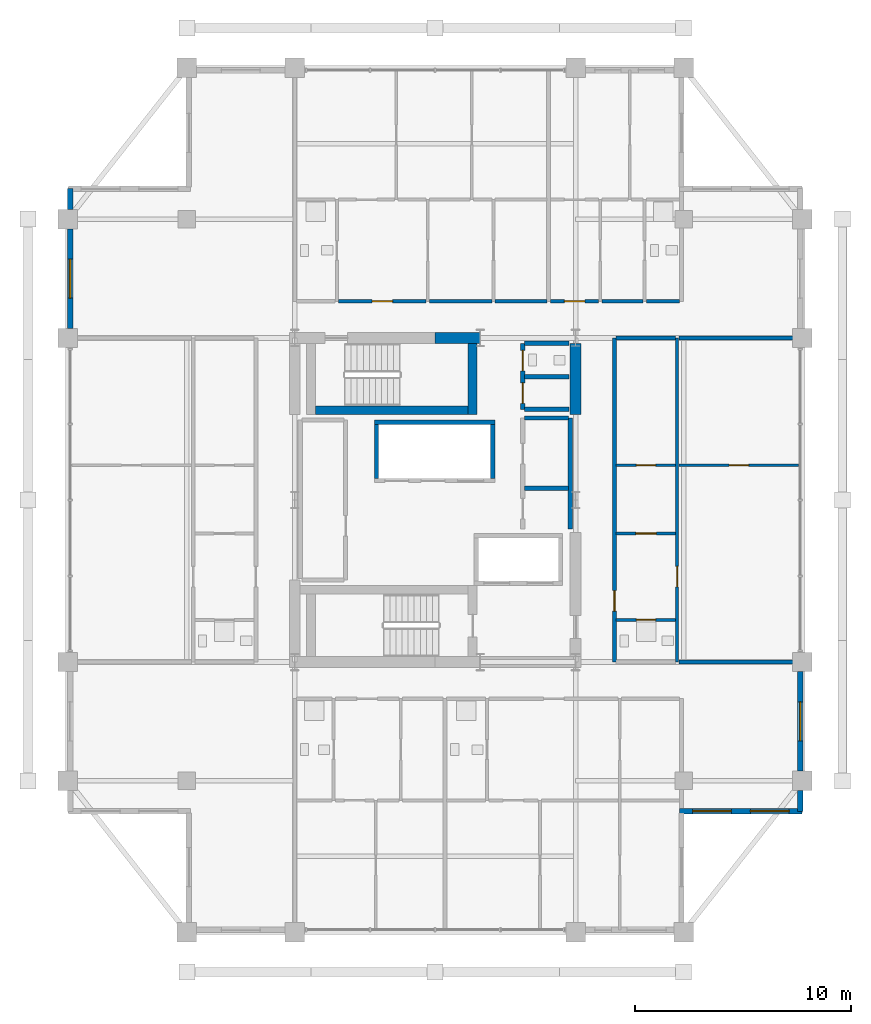
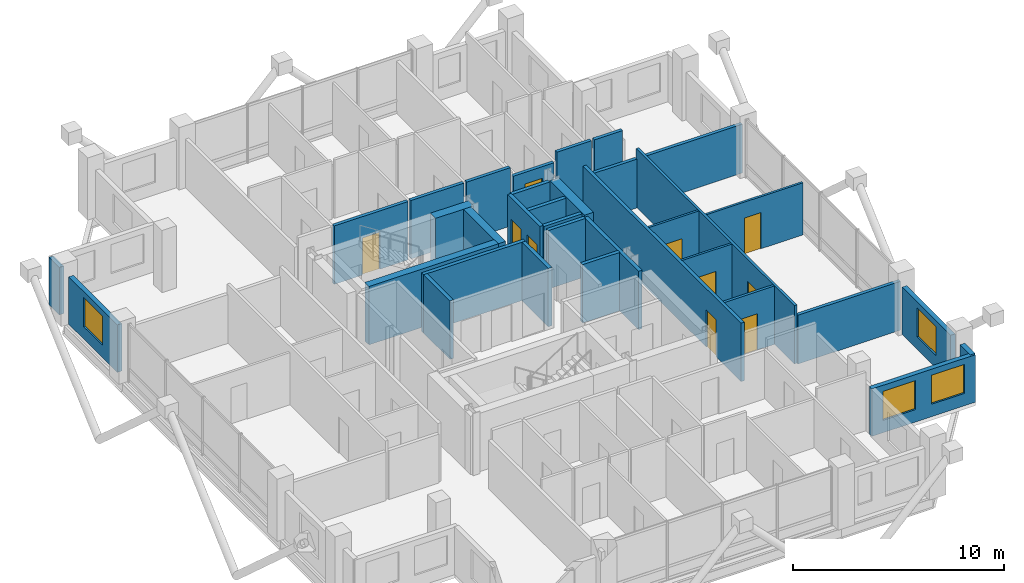
# One storey, part 20 of 24: 34 walls, 10 doors, 4 windows, 14 openings.
"""IFC4 building model written with IfcOpenShell, lengths in metres."""

import ifcopenshell
import ifcopenshell.guid

model = None  # the IFC model being written
_history = None  # IfcOwnerHistory: only IFC2X3 demands one
_inside = {}  # id of a spatial element -> (the spatial element, [elements in it])
_under = {}  # id of a project, library or spatial element -> (it, [spatial elements below it])
_declared = {}  # id of a project -> (the project, [libraries it declares])
_typed = {}  # id of a type object -> (the type object, [elements of that type])
_made_of = {}  # id of a material, layer set ... -> (it, [elements and type objects made of it])


def new_model(schema):
    """Start an empty IFC model of exactly this schema.

    Asked for "IFC4X3", IfcOpenShell would pick the latest addendum, in which some entities
    have other attributes; the version numbers below select the first issue.
    IFC2X3 requires an IfcOwnerHistory on every rooted entity: one is made here for all.
    """
    global model, _history
    if schema == "IFC4X3":
        model = ifcopenshell.file(schema_version=(4, 3, 0, 0))
    else:
        model = ifcopenshell.file(schema=schema)
    _inside.clear()
    _under.clear()
    _declared.clear()
    _typed.clear()
    _made_of.clear()
    _history = None
    if model.schema == "IFC2X3":
        org = make("IfcOrganization", Name="unknown")
        user = make(
            "IfcPersonAndOrganization",
            ThePerson=make("IfcPerson", FamilyName="unknown"),
            TheOrganization=org,
        )
        app = make(
            "IfcApplication",
            ApplicationDeveloper=org,
            Version="unknown",
            ApplicationFullName="unknown",
            ApplicationIdentifier="unknown",
        )
        _history = make(
            "IfcOwnerHistory",
            OwningUser=user,
            OwningApplication=app,
            ChangeAction="ADDED",
            CreationDate=0,
        )
    return model


def make(cls, **values):
    """One entity of the class cls with the attributes given. An attribute that is None is left unset."""
    return model.create_entity(
        cls, **{name: value for name, value in values.items() if value is not None}
    )


def rooted(cls, **values):
    """An entity with a GlobalId (a new one), such as an element, a storey or a relation."""
    return make(cls, GlobalId=ifcopenshell.guid.new(), OwnerHistory=_history, **values)


def si_unit(unit_type, name, prefix=None):
    """IfcSIUnit, for example si_unit("LENGTHUNIT", "METRE", prefix="MILLI")."""
    return make("IfcSIUnit", UnitType=unit_type, Prefix=prefix, Name=name)


def assignment(units):
    """IfcUnitAssignment: the units of a project."""
    return None if units is None else make("IfcUnitAssignment", Units=units)


def point(xyz):
    """IfcCartesianPoint."""
    return None if xyz is None else make("IfcCartesianPoint", Coordinates=xyz)


def direction(xyz):
    """IfcDirection."""
    return None if xyz is None else make("IfcDirection", DirectionRatios=xyz)


def frame(location, z_axis=None, x_axis=None):
    """IfcAxis2Placement3D, a coordinate frame: its origin and axes. An axis left out is left unset."""
    return make(
        "IfcAxis2Placement3D",
        Location=point(location),
        Axis=direction(z_axis),
        RefDirection=direction(x_axis),
    )


def frame_2d(location, x_axis=None):
    """IfcAxis2Placement2D, a coordinate frame in the plane: its origin and x axis."""
    return make(
        "IfcAxis2Placement2D", Location=point(location), RefDirection=direction(x_axis)
    )


def origin():
    """The frame at (0, 0, 0) with its axes left unset."""
    return frame((0.0, 0.0, 0.0))


def place(relative_to, where):
    """IfcLocalPlacement: puts the frame where relative to a parent placement (None: the world)."""
    return make(
        "IfcLocalPlacement", PlacementRelTo=relative_to, RelativePlacement=where
    )


def context(
    kind, dimensions, precision=None, world=None, true_north=None, identifier=None
):
    """IfcGeometricRepresentationContext, for example the 3D "Model" context."""
    return make(
        "IfcGeometricRepresentationContext",
        ContextIdentifier=identifier,
        ContextType=kind,
        CoordinateSpaceDimension=dimensions,
        Precision=precision,
        WorldCoordinateSystem=world,
        TrueNorth=true_north,
    )


def subcontext(parent, identifier, kind, view, scale=None):
    """IfcGeometricRepresentationSubContext, for example "Body" below "Model"."""
    return make(
        "IfcGeometricRepresentationSubContext",
        ContextIdentifier=identifier,
        ContextType=kind,
        ParentContext=parent,
        TargetScale=scale,
        TargetView=view,
    )


def project(units=None, contexts=None):
    """IfcProject with its units and contexts."""
    return rooted(
        "IfcProject",
        Name="project",
        RepresentationContexts=contexts,
        UnitsInContext=assignment(units),
    )


def spatial(cls, under=None, at=None, **own):
    """A site, building, storey or space (cls), placed at a placement, below another one or the project."""
    s = rooted(cls, ObjectPlacement=at, **own)
    if under is not None:
        _under.setdefault(under.id(), (under, []))[1].append(s)
    return s


def profile(cls, at=None, kind="AREA", **sizes):
    """A parametric profile (cls). Its sizes go by their IFC names, for example OverallWidth=200.0."""
    return make(cls, ProfileType=kind, Position=at, **sizes)


def rectangle(**sizes):
    """IfcRectangleProfileDef."""
    return profile("IfcRectangleProfileDef", **sizes)


def extrude(swept, where, along, depth):
    """IfcExtrudedAreaSolid: the profile swept, set in the frame where, extruded along a direction by depth."""
    return make(
        "IfcExtrudedAreaSolid",
        SweptArea=swept,
        Position=where,
        ExtrudedDirection=direction(along),
        Depth=depth,
    )


def shape(context_of_items, identifier, shape_type, items):
    """IfcShapeRepresentation: the items that make up one representation, for example the "Body"."""
    return make(
        "IfcShapeRepresentation",
        ContextOfItems=context_of_items,
        RepresentationIdentifier=identifier,
        RepresentationType=shape_type,
        Items=items,
    )


def material(Name=None, Category=None):
    """IfcMaterial."""
    return make("IfcMaterial", Name=Name, Category=Category)


def layer(
    of_material, thickness, ventilated=None, Name=None, Category=None, Priority=None
):
    """IfcMaterialLayer: one layer of a wall or slab, of a material (None: an air gap)."""
    return make(
        "IfcMaterialLayer",
        Material=of_material,
        LayerThickness=thickness,
        IsVentilated=ventilated,
        Name=Name,
        Category=Category,
        Priority=Priority,
    )


def layer_set(layers, Name=None):
    """IfcMaterialLayerSet."""
    return make("IfcMaterialLayerSet", MaterialLayers=layers, LayerSetName=Name)


def made_of(thing, what):
    """Note that an element or type object is made of a material, layer set ...; save() writes the relation."""
    if what is not None:
        _made_of.setdefault(what.id(), (what, []))[1].append(thing)
    return thing


def type_object(cls, material=None, **own):
    """A type object (cls), such as IfcWallType, which elements share."""
    return made_of(rooted(cls, **own), material)


def element(
    cls,
    number,
    at=None,
    inside=None,
    cuts=None,
    type_object=None,
    material=None,
    context=None,
    identifier="Body",
    shape_type=None,
    held_by="IfcProductDefinitionShape",
    body=None,
    shapes=None,
    **own,
):
    """One element of the class cls, such as IfcWall. Its Tag is "e" and its number.

    at: its placement. inside: the storey or other place that contains it. cuts: it is an
    opening in that element (IfcRelVoidsElement). A single representation is given by context,
    identifier, shape_type and body (its items); several are given by shapes. held_by: the class
    of the entity that holds the representations. save() writes the other relations.
    """
    e = rooted(cls, Tag="e%d" % number, ObjectPlacement=at, **own)
    if body is not None:
        shapes = [shape(context, identifier, shape_type, body)]
    if shapes is not None:
        e.Representation = make(held_by, Representations=shapes)
    if inside is not None:
        _inside.setdefault(inside.id(), (inside, []))[1].append(e)
    if cuts is not None:
        rooted(
            "IfcRelVoidsElement", RelatingBuildingElement=cuts, RelatedOpeningElement=e
        )
    if type_object is not None:
        _typed.setdefault(type_object.id(), (type_object, []))[1].append(e)
    return made_of(e, material)


def fill(opening, filler):
    """IfcRelFillsElement: the door or window that sits in an opening."""
    return rooted(
        "IfcRelFillsElement",
        RelatingOpeningElement=opening,
        RelatedBuildingElement=filler,
    )


def aggregate(whole, parts):
    """IfcRelAggregates: a whole, such as a stair, and the parts it consists of."""
    return rooted("IfcRelAggregates", RelatingObject=whole, RelatedObjects=parts)


def save(model, path):
    """Write the relations noted so far, then the file.

    IfcRelAggregates (storeys below a building ...), IfcRelContainedInSpatialStructure (elements
    in a storey), IfcRelDefinesByType, IfcRelAssociatesMaterial and IfcRelDeclares: one each for
    every whole, place, type object, material and project.
    """
    for whole, parts in _under.values():
        aggregate(whole, parts)
    for where, things in _inside.values():
        rooted(
            "IfcRelContainedInSpatialStructure",
            RelatedElements=things,
            RelatingStructure=where,
        )
    for kind, things in _typed.values():
        rooted("IfcRelDefinesByType", RelatedObjects=things, RelatingType=kind)
    for what, things in _made_of.values():
        rooted("IfcRelAssociatesMaterial", RelatedObjects=things, RelatingMaterial=what)
    for by, libraries in _declared.values():
        rooted("IfcRelDeclares", RelatingContext=by, RelatedDefinitions=libraries)
    model.write(path)


model = new_model("IFC4")

# Units and contexts
model_context = context("Model", 3, precision=1e-05, world=origin(), true_north=direction((0.0, 1.0)))
body_context = subcontext(model_context, "Body", "Model", "MODEL_VIEW")
ifc_project = project(units=[si_unit("LENGTHUNIT", "METRE"), si_unit("AREAUNIT", "SQUARE_METRE"), si_unit("VOLUMEUNIT", "CUBIC_METRE"), si_unit("PLANEANGLEUNIT", "RADIAN"), si_unit("MASSUNIT", "GRAM", prefix="KILO")], contexts=[model_context])

# Site, building, storey
site_placement = place(None, origin())
site = spatial("IfcSite", under=ifc_project, at=site_placement, CompositionType="ELEMENT")
building_placement = place(site_placement, origin())
building = spatial("IfcBuilding", under=site, at=building_placement, Name="Barlavira Tower and Art Museum", CompositionType="ELEMENT")
storey_placement = place(building_placement, frame((0.0, 0.0, 225.89990234375)))
storey = spatial("IfcBuildingStorey", under=building, at=storey_placement, Name="L58", CompositionType="ELEMENT", Elevation=225.89990234375)

# Wall, opening, door
ifc_material_1 = material(Name="Gypsum acoustic stud partition", Category="gypsum")
ifc_layer_1 = layer(ifc_material_1, 0.1201171875, Name="Gypsum acoustic stud partition")
ifc_layer_set_1 = layer_set([ifc_layer_1], Name="Gypsum acoustic stud partition")
wall_type_1 = type_object("IfcWallType", Name="Apartment Internal Acoustic Partition 120", PredefinedType="PARTITIONING", material=ifc_layer_set_1)
wall_1_placement = place(storey_placement, frame((8.3798828125, -1.550048828125, 0.0), z_axis=(0.0, 0.0, 1.0), x_axis=(1.0, 0.0, 0.0)))
wall_1 = element("IfcWall", 1, at=wall_1_placement, inside=storey, type_object=wall_type_1, Name="L58 Partition Wall 52", PredefinedType="PARTITIONING", context=body_context, shape_type="SweptSolid", body=[
    extrude(rectangle(XDim=2.740234375, YDim=0.1201171875, at=frame_2d((1.3701171875, 0.0))), origin(), (0.0, 0.0, 1.0), 3.380126953125),
])
opening_1_placement = place(wall_1_placement, frame((0.905029296875, 0.0, 0.0)))
opening_1 = element("IfcOpeningElement", 2, at=opening_1_placement, cuts=wall_1, Name="Opening D-02", PredefinedType="OPENING", context=body_context, shape_type="SweptSolid", body=[
    extrude(rectangle(XDim=0.949951171875, YDim=2.10009765625, at=frame_2d((0.47509765625, 1.050048828125))), frame((0.0, 0.070068359375, 0.0), z_axis=(0.0, -1.0, 0.0), x_axis=(1.0, 0.0, 0.0)), (0.0, 0.0, 1.0), 0.14013671875),
])
ifc_material_2 = material(Name="Engineered coastal hardwood", Category="wood")
door_type_1 = type_object("IfcDoorType", Name="Living and Salon Glazed-Leaf Door 950x2100", OperationType="NOTDEFINED", PredefinedType="DOOR", material=ifc_material_2)
door_1_placement = place(opening_1_placement, origin())
door_1 = element("IfcDoor", 3, at=door_1_placement, inside=storey, type_object=door_type_1, Name="Apartment E1 Kitchen Door", OperationType="SINGLE_SWING_LEFT", OverallHeight=2.10009765625, OverallWidth=0.949951171875, PredefinedType="DOOR", context=body_context, shape_type="SweptSolid", body=[
    extrude(rectangle(XDim=0.949951171875, YDim=2.10009765625, at=frame_2d((0.47509765625, 1.050048828125))), frame((0.0, 0.02490234375, 0.0), z_axis=(0.0, -1.0, 0.0), x_axis=(1.0, 0.0, 0.0)), (0.0, 0.0, 1.0), 0.050048828125),
])
fill(opening_1, door_1)

wall_2_placement = place(storey_placement, frame((8.3798828125, 1.60009765625, 0.0), z_axis=(0.0, 0.0, 1.0), x_axis=(1.0, 0.0, 0.0)))
wall_2 = element("IfcWall", 4, at=wall_2_placement, inside=storey, type_object=wall_type_1, Name="L58 Partition Wall 56", PredefinedType="PARTITIONING", context=body_context, shape_type="SweptSolid", body=[
    extrude(rectangle(XDim=2.740234375, YDim=0.1201171875, at=frame_2d((1.3701171875, 0.0))), origin(), (0.0, 0.0, 1.0), 3.380126953125),
])
opening_2_placement = place(wall_2_placement, frame((0.929931640625, 0.0, 0.0)))
opening_2 = element("IfcOpeningElement", 5, at=opening_2_placement, cuts=wall_2, Name="Opening D-01", PredefinedType="OPENING", context=body_context, shape_type="SweptSolid", body=[
    extrude(rectangle(XDim=0.89990234375, YDim=2.10009765625, at=frame_2d((0.449951171875, 1.050048828125))), frame((0.0, 0.070068359375, 0.0), z_axis=(0.0, -1.0, 0.0), x_axis=(1.0, 0.0, 0.0)), (0.0, 0.0, 1.0), 0.14013671875),
])
door_type_2 = type_object("IfcDoorType", Name="Internal Bedroom Timber Flush Door 900x2100", OperationType="NOTDEFINED", PredefinedType="DOOR", material=ifc_material_2)
door_2_placement = place(opening_2_placement, origin())
door_2 = element("IfcDoor", 6, at=door_2_placement, inside=storey, type_object=door_type_2, Name="Apartment E1 Walk-In Dressing Room Door", OperationType="SINGLE_SWING_RIGHT", OverallHeight=2.10009765625, OverallWidth=0.89990234375, PredefinedType="DOOR", context=body_context, shape_type="SweptSolid", body=[
    extrude(rectangle(XDim=0.89990234375, YDim=2.10009765625, at=frame_2d((0.449951171875, 1.050048828125))), frame((0.0, 0.02490234375, 0.0), z_axis=(0.0, -1.0, 0.0), x_axis=(1.0, 0.0, 0.0)), (0.0, 0.0, 1.0), 0.050048828125),
])
fill(opening_2, door_2)

wall_3_placement = place(storey_placement, frame((11.280029296875, 1.60009765625, 0.0), z_axis=(0.0, 0.0, 1.0), x_axis=(1.0, 0.0, 0.0)))
wall_3 = element("IfcWall", 7, at=wall_3_placement, inside=storey, type_object=wall_type_1, Name="L58 Partition Wall 57", PredefinedType="PARTITIONING", context=body_context, shape_type="SweptSolid", body=[
    extrude(rectangle(XDim=5.5400390625, YDim=0.1201171875, at=frame_2d((2.77001953125, 0.0))), origin(), (0.0, 0.0, 1.0), 3.01806640625),
])
opening_3_placement = place(wall_3_placement, frame((2.330078125, 0.0, 0.0)))
opening_3 = element("IfcOpeningElement", 8, at=opening_3_placement, cuts=wall_3, Name="Opening D-01", PredefinedType="OPENING", context=body_context, shape_type="SweptSolid", body=[
    extrude(rectangle(XDim=0.89990234375, YDim=2.10009765625, at=frame_2d((0.449951171875, 1.050048828125))), frame((0.0, 0.070068359375, 0.0), z_axis=(0.0, -1.0, 0.0), x_axis=(1.0, 0.0, 0.0)), (0.0, 0.0, 1.0), 0.14013671875),
])
door_3_placement = place(opening_3_placement, origin())
door_3 = element("IfcDoor", 9, at=door_3_placement, inside=storey, type_object=door_type_2, Name="Apartment E1 Bedroom 1 Door", OperationType="SINGLE_SWING_RIGHT", OverallHeight=2.10009765625, OverallWidth=0.89990234375, PredefinedType="DOOR", context=body_context, shape_type="SweptSolid", body=[
    extrude(rectangle(XDim=0.89990234375, YDim=2.10009765625, at=frame_2d((0.449951171875, 1.050048828125))), frame((0.0, 0.02490234375, 0.0), z_axis=(0.0, -1.0, 0.0), x_axis=(1.0, 0.0, 0.0)), (0.0, 0.0, 1.0), 0.050048828125),
])
fill(opening_3, door_3)

# Walls
ifc_material_3 = material(Name="Concrete C60", Category="concrete")
ifc_layer_2 = layer(ifc_material_3, 0.5, Name="Concrete C60")
ifc_layer_set_2 = layer_set([ifc_layer_2], Name="Concrete C60")
wall_type_2 = type_object("IfcWallType", Name="Core Structural Shear Wall 500 Concrete C60", PredefinedType="SHEAR", material=ifc_layer_set_2)
wall_4_placement = place(storey_placement, frame((0.0, 7.5, 0.0), z_axis=(0.0, 0.0, 1.0), x_axis=(1.0, 0.0, 0.0)))
element("IfcWall", 10, at=wall_4_placement, inside=storey, type_object=wall_type_2, Name="L58 Core Shear Wall CS-EN", PredefinedType="SHEAR", context=body_context, shape_type="SweptSolid", body=[
    extrude(rectangle(XDim=2.080078125, YDim=0.5, at=frame_2d((1.0400390625, 0.0))), origin(), (0.0, 0.0, 1.0), 3.380126953125),
])
wall_5_placement = place(storey_placement, frame((6.5, 3.949951171875, 0.0), z_axis=(0.0, 0.0, 1.0), x_axis=(0.0, 1.0, 0.0)))
element("IfcWall", 11, at=wall_5_placement, inside=storey, type_object=wall_type_2, Name="L58 Core Shear Wall CS-E2", PredefinedType="SHEAR", context=body_context, shape_type="SweptSolid", body=[
    extrude(rectangle(XDim=3.300048828125, YDim=0.5, at=frame_2d((1.64990234375, 0.0))), origin(), (0.0, 0.0, 1.0), 3.380126953125),
])
ifc_material_4 = material(Name="Autoclaved aerated concrete masonry", Category="masonry")
ifc_layer_3 = layer(ifc_material_4, 0.199951171875, Name="Autoclaved aerated concrete masonry")
ifc_layer_set_3 = layer_set([ifc_layer_3], Name="Autoclaved aerated concrete masonry")
wall_type_3 = type_object("IfcWallType", Name="Fire Compartment and Shaft Wall 200", PredefinedType="SOLIDWALL", material=ifc_layer_set_3)
wall_6_placement = place(storey_placement, frame((-2.820068359375, 3.60009765625, 0.0), z_axis=(0.0, 0.0, 1.0), x_axis=(1.0, 0.0, 0.0)))
element("IfcWall", 12, at=wall_6_placement, inside=storey, type_object=wall_type_3, Name="L58 High-Rise & Service Lift Back Wall", PredefinedType="SOLIDWALL", context=body_context, shape_type="SweptSolid", body=[
    extrude(rectangle(XDim=5.580078125, YDim=0.199951171875, at=frame_2d((2.7900390625, 0.0))), origin(), (0.0, 0.0, 1.0), 3.380126953125),
])
for number, where, z_axis, x_axis, name in (
    (13, (-2.719970703125, 1.0, 0.0), (0.0, 0.0, 1.0), (0.0, 1.0, 0.0), "L58 High-Rise & Service Lift West Wall"),
    (14, (2.659912109375, 1.0, 0.0), (0.0, 0.0, 1.0), (0.0, 1.0, 0.0), "L58 High-Rise & Service Lift East Wall"),
):
    element("IfcWall", number, at=place(storey_placement, frame(where, z_axis=z_axis, x_axis=x_axis)), inside=storey, type_object=wall_type_3, Name=name, PredefinedType="SOLIDWALL", context=body_context, shape_type="SweptSolid", body=[
        extrude(rectangle(XDim=2.5, YDim=0.199951171875, at=frame_2d((1.25, 0.0))), origin(), (0.0, 0.0, 1.0), 3.380126953125),
    ])

# Wall, openings, doors
wall_7_placement = place(storey_placement, frame((4.050048828125, 4.199951171875, 0.0), z_axis=(0.0, 0.0, 1.0), x_axis=(0.0, 1.0, 0.0)))
wall_7 = element("IfcWall", 15, at=wall_7_placement, inside=storey, type_object=wall_type_3, Name="L58 Partition Wall 18", PredefinedType="SOLIDWALL", context=body_context, shape_type="SweptSolid", body=[
    extrude(rectangle(XDim=3.050048828125, YDim=0.199951171875, at=frame_2d((1.52490234375, 0.0))), origin(), (0.0, 0.0, 1.0), 3.380126953125),
])
opening_4_placement = place(wall_7_placement, frame((0.27490234375, 0.0, 0.0)))
opening_4 = element("IfcOpeningElement", 16, at=opening_4_placement, cuts=wall_7, Name="Opening FD-60", PredefinedType="OPENING", context=body_context, shape_type="SweptSolid", body=[
    extrude(rectangle(XDim=0.949951171875, YDim=2.14990234375, at=frame_2d((0.47509765625, 1.074951171875))), frame((0.0, 0.10986328125, 0.0), z_axis=(0.0, -1.0, 0.0), x_axis=(1.0, 0.0, 0.0)), (0.0, 0.0, 1.0), 0.219970703125),
])
opening_5_placement = place(wall_7_placement, frame((1.77490234375, 0.0, 0.0)))
opening_5 = element("IfcOpeningElement", 17, at=opening_5_placement, cuts=wall_7, Name="Opening FD-60", PredefinedType="OPENING", context=body_context, shape_type="SweptSolid", body=[
    extrude(rectangle(XDim=0.949951171875, YDim=2.14990234375, at=frame_2d((0.47509765625, 1.074951171875))), frame((0.0, 0.10986328125, 0.0), z_axis=(0.0, -1.0, 0.0), x_axis=(1.0, 0.0, 0.0)), (0.0, 0.0, 1.0), 0.219970703125),
])
ifc_material_5 = material(Name="Brushed stainless steel", Category="steel")
door_type_3 = type_object("IfcDoorType", Name="Apartment Entrance and Riser Fire Door 950x2150 FD60S", OperationType="NOTDEFINED", PredefinedType="DOOR", material=ifc_material_5)
door_4_placement = place(opening_4_placement, origin())
door_4 = element("IfcDoor", 18, at=door_4_placement, inside=storey, type_object=door_type_3, Name="Electrical Switchgear Room Door", OperationType="SINGLE_SWING_RIGHT", OverallHeight=2.14990234375, OverallWidth=0.949951171875, PredefinedType="DOOR", context=body_context, shape_type="SweptSolid", body=[
    extrude(rectangle(XDim=0.949951171875, YDim=2.14990234375, at=frame_2d((0.47509765625, 1.074951171875))), frame((0.0, 0.02490234375, 0.0), z_axis=(0.0, -1.0, 0.0), x_axis=(1.0, 0.0, 0.0)), (0.0, 0.0, 1.0), 0.050048828125),
])
fill(opening_4, door_4)
door_5_placement = place(opening_5_placement, origin())
door_5 = element("IfcDoor", 19, at=door_5_placement, inside=storey, type_object=door_type_3, Name="Core Staff Toilet Door", OperationType="SINGLE_SWING_LEFT", OverallHeight=2.14990234375, OverallWidth=0.949951171875, PredefinedType="DOOR", context=body_context, shape_type="SweptSolid", body=[
    extrude(rectangle(XDim=0.949951171875, YDim=2.14990234375, at=frame_2d((0.47509765625, 1.074951171875))), frame((0.0, 0.02490234375, 0.0), z_axis=(0.0, -1.0, 0.0), x_axis=(1.0, 0.0, 0.0)), (0.0, 0.0, 1.0), 0.050048828125),
])
fill(opening_5, door_5)

# Walls
wall_8_placement = place(storey_placement, frame((6.25, -1.35009765625, 0.0), z_axis=(0.0, 0.0, 1.0), x_axis=(0.0, 1.0, 0.0)))
element("IfcWall", 20, at=wall_8_placement, inside=storey, type_object=wall_type_3, Name="L58 Partition Wall 21", PredefinedType="SOLIDWALL", context=body_context, shape_type="SweptSolid", body=[
    extrude(rectangle(XDim=5.150146484375, YDim=0.199951171875, at=frame_2d((2.5751953125, 0.0))), origin(), (0.0, 0.0, 1.0), 3.380126953125),
])
for number, where, z_axis, x_axis, name in (
    (21, (4.1298828125, 0.550048828125, 0.0), (0.0, 0.0, 1.0), (1.0, 0.0, 0.0), "L58 Partition Wall 53"),
    (22, (4.1298828125, 3.800048828125, 0.0), (0.0, 0.0, 1.0), (1.0, 0.0, 0.0), "L58 Partition Wall 59"),
):
    element("IfcWall", number, at=place(storey_placement, frame(where, z_axis=z_axis, x_axis=x_axis)), inside=storey, type_object=wall_type_3, Name=name, PredefinedType="SOLIDWALL", context=body_context, shape_type="SweptSolid", body=[
        extrude(rectangle(XDim=2.0400390625, YDim=0.199951171875, at=frame_2d((1.02001953125, 0.0))), origin(), (0.0, 0.0, 1.0), 3.380126953125),
    ])
for number, where, z_axis, x_axis, name in (
    (23, (4.1298828125, 4.199951171875, 0.0), (0.0, 0.0, 1.0), (1.0, 0.0, 0.0), "L58 Partition Wall 60"),
    (24, (4.1298828125, 5.699951171875, 0.0), (0.0, 0.0, 1.0), (1.0, 0.0, 0.0), "L58 Partition Wall 61"),
    (25, (4.1298828125, 7.25, 0.0), (0.0, 0.0, 1.0), (1.0, 0.0, 0.0), "L58 Partition Wall 62"),
):
    element("IfcWall", number, at=place(storey_placement, frame(where, z_axis=z_axis, x_axis=x_axis)), inside=storey, type_object=wall_type_3, Name=name, PredefinedType="SOLIDWALL", context=body_context, shape_type="SweptSolid", body=[
        extrude(rectangle(XDim=2.070068359375, YDim=0.199951171875, at=frame_2d((1.03515625, 0.0))), origin(), (0.0, 0.0, 1.0), 3.380126953125),
    ])

# Wall, opening, door
ifc_layer_4 = layer(ifc_material_1, 0.179931640625, Name="Gypsum acoustic stud partition")
ifc_layer_set_4 = layer_set([ifc_layer_4], Name="Gypsum acoustic stud partition")
wall_type_4 = type_object("IfcWallType", Name="Inter-Tenancy Party Partition Wall 180", PredefinedType="PARTITIONING", material=ifc_layer_set_4)
wall_9_placement = place(storey_placement, frame((8.300048828125, -7.5, 0.0), z_axis=(0.0, 0.0, 1.0), x_axis=(0.0, 1.0, 0.0)))
wall_9 = element("IfcWall", 26, at=wall_9_placement, inside=storey, type_object=wall_type_4, Name="L58 Partition Wall 23", PredefinedType="PARTITIONING", context=body_context, shape_type="SweptSolid", body=[
    extrude(rectangle(XDim=15.0, YDim=0.179931640625, at=frame_2d((7.5, 0.0))), origin(), (0.0, 0.0, 1.0), 3.380126953125),
])
opening_6_placement = place(wall_9_placement, frame((2.35498046875, 0.0, 0.0)))
opening_6 = element("IfcOpeningElement", 27, at=opening_6_placement, cuts=wall_9, Name="Opening FD-60", PredefinedType="OPENING", context=body_context, shape_type="SweptSolid", body=[
    extrude(rectangle(XDim=0.949951171875, YDim=2.14990234375, at=frame_2d((0.47509765625, 1.074951171875))), frame((0.0, 0.10009765625, 0.0), z_axis=(0.0, -1.0, 0.0), x_axis=(1.0, 0.0, 0.0)), (0.0, 0.0, 1.0), 0.199951171875),
])
door_6_placement = place(opening_6_placement, origin())
door_6 = element("IfcDoor", 28, at=door_6_placement, inside=storey, type_object=door_type_3, Name="Apartment Entrance Hall E1 Door", OperationType="SINGLE_SWING_RIGHT", OverallHeight=2.14990234375, OverallWidth=0.949951171875, PredefinedType="DOOR", context=body_context, shape_type="SweptSolid", body=[
    extrude(rectangle(XDim=0.949951171875, YDim=2.14990234375, at=frame_2d((0.47509765625, 1.074951171875))), frame((0.0, 0.02490234375, 0.0), z_axis=(0.0, -1.0, 0.0), x_axis=(1.0, 0.0, 0.0)), (0.0, 0.0, 1.0), 0.050048828125),
])
fill(opening_6, door_6)

# Walls
wall_10_placement = place(storey_placement, frame((11.280029296875, -7.5, 0.0), z_axis=(0.0, 0.0, 1.0), x_axis=(1.0, 0.0, 0.0)))
element("IfcWall", 29, at=wall_10_placement, inside=storey, type_object=wall_type_4, Name="L58 Partition Wall 47", PredefinedType="PARTITIONING", context=body_context, shape_type="SweptSolid", body=[
    extrude(rectangle(XDim=5.619873046875, YDim=0.179931640625, at=frame_2d((2.81005859375, 0.0))), origin(), (0.0, 0.0, 1.0), 2.826171875),
])
wall_11_placement = place(storey_placement, frame((8.3798828125, 7.5, 0.0), z_axis=(0.0, 0.0, 1.0), x_axis=(1.0, 0.0, 0.0)))
element("IfcWall", 30, at=wall_11_placement, inside=storey, type_object=wall_type_4, Name="L58 Partition Wall 65", PredefinedType="PARTITIONING", context=body_context, shape_type="SweptSolid", body=[
    extrude(rectangle(XDim=2.740234375, YDim=0.179931640625, at=frame_2d((1.3701171875, 0.0))), origin(), (0.0, 0.0, 1.0), 2.826171875),
])
wall_12_placement = place(storey_placement, frame((11.280029296875, 7.5, 0.0), z_axis=(0.0, 0.0, 1.0), x_axis=(1.0, 0.0, 0.0)))
element("IfcWall", 31, at=wall_12_placement, inside=storey, type_object=wall_type_4, Name="L58 Partition Wall 66", PredefinedType="PARTITIONING", context=body_context, shape_type="SweptSolid", body=[
    extrude(rectangle(XDim=5.619873046875, YDim=0.179931640625, at=frame_2d((2.81005859375, 0.0))), origin(), (0.0, 0.0, 1.0), 2.826171875),
])

# Wall, opening, door
wall_13_placement = place(storey_placement, frame((-4.469970703125, 9.199951171875, 0.0), z_axis=(0.0, 0.0, 1.0), x_axis=(1.0, 0.0, 0.0)))
wall_13 = element("IfcWall", 32, at=wall_13_placement, inside=storey, type_object=wall_type_4, Name="L58 Partition Wall 68", PredefinedType="PARTITIONING", context=body_context, shape_type="SweptSolid", body=[
    extrude(rectangle(XDim=4.0400390625, YDim=0.179931640625, at=frame_2d((2.02001953125, 0.0))), origin(), (0.0, 0.0, 1.0), 3.380126953125),
])
opening_7_placement = place(wall_13_placement, frame((1.544921875, 0.0, 0.0)))
opening_7 = element("IfcOpeningElement", 33, at=opening_7_placement, cuts=wall_13, Name="Opening FD-60", PredefinedType="OPENING", context=body_context, shape_type="SweptSolid", body=[
    extrude(rectangle(XDim=0.949951171875, YDim=2.14990234375, at=frame_2d((0.47509765625, 1.074951171875))), frame((0.0, 0.10009765625, 0.0), z_axis=(0.0, -1.0, 0.0), x_axis=(1.0, 0.0, 0.0)), (0.0, 0.0, 1.0), 0.199951171875),
])
door_7_placement = place(opening_7_placement, origin())
door_7 = element("IfcDoor", 34, at=door_7_placement, inside=storey, type_object=door_type_3, Name="Apartment Entrance Hall N1 Door", OperationType="SINGLE_SWING_RIGHT", OverallHeight=2.14990234375, OverallWidth=0.949951171875, PredefinedType="DOOR", context=body_context, shape_type="SweptSolid", body=[
    extrude(rectangle(XDim=0.949951171875, YDim=2.14990234375, at=frame_2d((0.47509765625, 1.074951171875))), frame((0.0, 0.02490234375, 0.0), z_axis=(0.0, -1.0, 0.0), x_axis=(1.0, 0.0, 0.0)), (0.0, 0.0, 1.0), 0.050048828125),
])
fill(opening_7, door_7)

# Walls
wall_14_placement = place(storey_placement, frame((-0.27001953125, 9.199951171875, 0.0), z_axis=(0.0, 0.0, 1.0), x_axis=(1.0, 0.0, 0.0)))
element("IfcWall", 35, at=wall_14_placement, inside=storey, type_object=wall_type_4, Name="L58 Partition Wall 69", PredefinedType="PARTITIONING", context=body_context, shape_type="SweptSolid", body=[
    extrude(rectangle(XDim=2.89013671875, YDim=0.179931640625, at=frame_2d((1.445068359375, 0.0))), origin(), (0.0, 0.0, 1.0), 3.380126953125),
])
wall_15_placement = place(storey_placement, frame((2.780029296875, 9.199951171875, 0.0), z_axis=(0.0, 0.0, 1.0), x_axis=(1.0, 0.0, 0.0)))
element("IfcWall", 36, at=wall_15_placement, inside=storey, type_object=wall_type_4, Name="L58 Partition Wall 70", PredefinedType="PARTITIONING", context=body_context, shape_type="SweptSolid", body=[
    extrude(rectangle(XDim=2.389892578125, YDim=0.179931640625, at=frame_2d((1.19482421875, 0.0))), origin(), (0.0, 0.0, 1.0), 3.380126953125),
])

# Wall, opening, door
wall_16_placement = place(storey_placement, frame((5.330078125, 9.199951171875, 0.0), z_axis=(0.0, 0.0, 1.0), x_axis=(1.0, 0.0, 0.0)))
wall_16 = element("IfcWall", 37, at=wall_16_placement, inside=storey, type_object=wall_type_4, Name="L58 Partition Wall 71", PredefinedType="PARTITIONING", context=body_context, shape_type="SweptSolid", body=[
    extrude(rectangle(XDim=2.239990234375, YDim=0.179931640625, at=frame_2d((1.1201171875, 0.0))), origin(), (0.0, 0.0, 1.0), 2.826171875),
])
opening_8_placement = place(wall_16_placement, frame((0.64501953125, 0.0, 0.0)))
opening_8 = element("IfcOpeningElement", 38, at=opening_8_placement, cuts=wall_16, Name="Opening FD-60", PredefinedType="OPENING", context=body_context, shape_type="SweptSolid", body=[
    extrude(rectangle(XDim=0.949951171875, YDim=2.14990234375, at=frame_2d((0.47509765625, 1.074951171875))), frame((0.0, 0.10009765625, 0.0), z_axis=(0.0, -1.0, 0.0), x_axis=(1.0, 0.0, 0.0)), (0.0, 0.0, 1.0), 0.199951171875),
])
door_8_placement = place(opening_8_placement, origin())
door_8 = element("IfcDoor", 39, at=door_8_placement, inside=storey, type_object=door_type_3, Name="Apartment Entrance Hall N2 Door", OperationType="SINGLE_SWING_RIGHT", OverallHeight=2.14990234375, OverallWidth=0.949951171875, PredefinedType="DOOR", context=body_context, shape_type="SweptSolid", body=[
    extrude(rectangle(XDim=0.949951171875, YDim=2.14990234375, at=frame_2d((0.47509765625, 1.074951171875))), frame((0.0, 0.02490234375, 0.0), z_axis=(0.0, -1.0, 0.0), x_axis=(1.0, 0.0, 0.0)), (0.0, 0.0, 1.0), 0.050048828125),
])
fill(opening_8, door_8)

# Walls
wall_17_placement = place(storey_placement, frame((7.72998046875, 9.199951171875, 0.0), z_axis=(0.0, 0.0, 1.0), x_axis=(1.0, 0.0, 0.0)))
element("IfcWall", 40, at=wall_17_placement, inside=storey, type_object=wall_type_4, Name="L58 Partition Wall 72", PredefinedType="PARTITIONING", context=body_context, shape_type="SweptSolid", body=[
    extrude(rectangle(XDim=1.89013671875, YDim=0.179931640625, at=frame_2d((0.945068359375, 0.0))), origin(), (0.0, 0.0, 1.0), 3.380126953125),
])
wall_18_placement = place(storey_placement, frame((9.780029296875, 9.199951171875, 0.0), z_axis=(0.0, 0.0, 1.0), x_axis=(1.0, 0.0, 0.0)))
element("IfcWall", 41, at=wall_18_placement, inside=storey, type_object=wall_type_4, Name="L58 Partition Wall 73", PredefinedType="PARTITIONING", context=body_context, shape_type="SweptSolid", body=[
    extrude(rectangle(XDim=1.5400390625, YDim=0.179931640625, at=frame_2d((0.77001953125, 0.0))), origin(), (0.0, 0.0, 1.0), 3.380126953125),
])

# Wall, opening, door
ifc_layer_5 = layer(ifc_material_1, 0.139892578125, Name="Gypsum acoustic stud partition")
ifc_layer_set_5 = layer_set([ifc_layer_5], Name="Gypsum acoustic stud partition")
wall_type_5 = type_object("IfcWallType", Name="Moisture-Resistant Bathroom Partition 140", PredefinedType="PARTITIONING", material=ifc_layer_set_5)
wall_19_placement = place(storey_placement, frame((11.199951171875, -7.5, 0.0), z_axis=(0.0, 0.0, 1.0), x_axis=(0.0, 1.0, 0.0)))
wall_19 = element("IfcWall", 42, at=wall_19_placement, inside=storey, type_object=wall_type_5, Name="L58 Partition Wall 27", PredefinedType="PARTITIONING", context=body_context, shape_type="SweptSolid", body=[
    extrude(rectangle(XDim=15.0, YDim=0.139892578125, at=frame_2d((7.5, 0.0))), origin(), (0.0, 0.0, 1.0), 3.380126953125),
])
opening_9_placement = place(wall_19_placement, frame((3.47509765625, 0.0, 0.0)))
opening_9 = element("IfcOpeningElement", 43, at=opening_9_placement, cuts=wall_19, Name="Opening D-02", PredefinedType="OPENING", context=body_context, shape_type="SweptSolid", body=[
    extrude(rectangle(XDim=0.949951171875, YDim=2.10009765625, at=frame_2d((0.47509765625, 1.050048828125))), frame((0.0, 0.080078125, 0.0), z_axis=(0.0, -1.0, 0.0), x_axis=(1.0, 0.0, 0.0)), (0.0, 0.0, 1.0), 0.159912109375),
])
door_9_placement = place(opening_9_placement, origin())
door_9 = element("IfcDoor", 44, at=door_9_placement, inside=storey, type_object=door_type_1, Name="Apartment E1 Living Lounge Door", OperationType="SINGLE_SWING_LEFT", OverallHeight=2.10009765625, OverallWidth=0.949951171875, PredefinedType="DOOR", context=body_context, shape_type="SweptSolid", body=[
    extrude(rectangle(XDim=0.949951171875, YDim=2.10009765625, at=frame_2d((0.47509765625, 1.050048828125))), frame((0.0, 0.02490234375, 0.0), z_axis=(0.0, -1.0, 0.0), x_axis=(1.0, 0.0, 0.0)), (0.0, 0.0, 1.0), 0.050048828125),
])
fill(opening_9, door_9)

wall_20_placement = place(storey_placement, frame((8.3798828125, -5.550048828125, 0.0), z_axis=(0.0, 0.0, 1.0), x_axis=(1.0, 0.0, 0.0)))
wall_20 = element("IfcWall", 45, at=wall_20_placement, inside=storey, type_object=wall_type_5, Name="L58 Partition Wall 49", PredefinedType="PARTITIONING", context=body_context, shape_type="SweptSolid", body=[
    extrude(rectangle(XDim=2.740234375, YDim=0.139892578125, at=frame_2d((1.3701171875, 0.0))), origin(), (0.0, 0.0, 1.0), 3.380126953125),
])
opening_10_placement = place(wall_20_placement, frame((0.929931640625, 0.0, 0.0)))
opening_10 = element("IfcOpeningElement", 46, at=opening_10_placement, cuts=wall_20, Name="Opening D-WC", PredefinedType="OPENING", context=body_context, shape_type="SweptSolid", body=[
    extrude(rectangle(XDim=0.89990234375, YDim=2.10009765625, at=frame_2d((0.449951171875, 1.050048828125))), frame((0.0, 0.080078125, 0.0), z_axis=(0.0, -1.0, 0.0), x_axis=(1.0, 0.0, 0.0)), (0.0, 0.0, 1.0), 0.159912109375),
])
door_type_4 = type_object("IfcDoorType", Name="Accessible Bathroom Flush Door 900x2100", OperationType="NOTDEFINED", PredefinedType="DOOR", material=ifc_material_2)
door_10_placement = place(opening_10_placement, origin())
door_10 = element("IfcDoor", 47, at=door_10_placement, inside=storey, type_object=door_type_4, Name="Apartment E1 Hall Bathroom Door", OperationType="SINGLE_SWING_LEFT", OverallHeight=2.10009765625, OverallWidth=0.89990234375, PredefinedType="DOOR", context=body_context, shape_type="SweptSolid", body=[
    extrude(rectangle(XDim=0.89990234375, YDim=2.10009765625, at=frame_2d((0.449951171875, 1.050048828125))), frame((0.0, 0.02490234375, 0.0), z_axis=(0.0, -1.0, 0.0), x_axis=(1.0, 0.0, 0.0)), (0.0, 0.0, 1.0), 0.050048828125),
])
fill(opening_10, door_10)

# Wall
ifc_material_6 = material(Name="Precast concrete C40", Category="concrete")
ifc_layer_6 = layer(ifc_material_6, 0.25, Name="Precast concrete C40")
ifc_layer_set_6 = layer_set([ifc_layer_6], Name="Precast concrete C40")
wall_type_6 = type_object("IfcWallType", Name="Notched Corner Spandrel Wall 250 Precast Concrete C40", PredefinedType="SOLIDWALL", material=ifc_layer_set_6)
wall_21_placement = place(storey_placement, frame((-16.89990234375, 14.425048828125, 0.0), z_axis=(0.0, 0.0, 1.0), x_axis=(0.0, -1.0, 0.0)))
element("IfcWall", 48, at=wall_21_placement, inside=storey, type_object=wall_type_6, Name="L58 Coastal Facade Pier Wall CW4-L58-W-1", PredefinedType="SOLIDWALL", context=body_context, shape_type="SweptSolid", body=[
    extrude(rectangle(XDim=0.97998046875, YDim=0.25, at=frame_2d((0.489990234375, 0.0))), origin(), (0.0, 0.0, 1.0), 2.748046875),
])

# Wall, opening, window
wall_22_placement = place(storey_placement, frame((-16.89990234375, 12.554931640625, 0.0), z_axis=(0.0, 0.0, 1.0), x_axis=(0.0, -1.0, 0.0)))
wall_22 = element("IfcWall", 49, at=wall_22_placement, inside=storey, type_object=wall_type_6, Name="L58 Coastal Facade Pier Wall CW4-L58-W-2", PredefinedType="SOLIDWALL", context=body_context, shape_type="SweptSolid", body=[
    extrude(rectangle(XDim=4.60986328125, YDim=0.25, at=frame_2d((2.304931640625, 0.0))), origin(), (0.0, 0.0, 1.0), 2.748046875),
])
opening_11_placement = place(wall_22_placement, frame((1.405029296875, 0.0, 0.719970703125)))
opening_11 = element("IfcOpeningElement", 50, at=opening_11_placement, cuts=wall_22, Name="Opening WN-01", PredefinedType="OPENING", context=body_context, shape_type="SweptSolid", body=[
    extrude(rectangle(XDim=1.800048828125, YDim=1.679931640625, at=frame_2d((0.89990234375, 0.83984375))), frame((0.0, 0.135009765625, 0.0), z_axis=(0.0, -1.0, 0.0), x_axis=(1.0, 0.0, 0.0)), (0.0, 0.0, 1.0), 0.27001953125),
])
ifc_material_7 = material(Name="Low-iron coastal laminated glass", Category="glass")
window_type = type_object("IfcWindowType", Name="Recessed Notch Corner Punch Window 1800x1680", PartitioningType="SINGLE_PANEL", PredefinedType="WINDOW", material=ifc_material_7)
window_1_placement = place(opening_11_placement, origin())
window_1 = element("IfcWindow", 51, at=window_1_placement, inside=storey, type_object=window_type, Name="L58 Punched Facade Window EWP-CW4-L58-W-2-1", OverallHeight=1.679931640625, OverallWidth=1.800048828125, PartitioningType="SINGLE_PANEL", PredefinedType="WINDOW", context=body_context, shape_type="SweptSolid", body=[
    extrude(rectangle(XDim=1.800048828125, YDim=1.679931640625, at=frame_2d((0.89990234375, 0.83984375))), frame((0.0, 0.030029296875, 0.0), z_axis=(0.0, -1.0, 0.0), x_axis=(1.0, 0.0, 0.0)), (0.0, 0.0, 1.0), 0.06005859375),
])
fill(opening_11, window_1)

# Wall
wall_23_placement = place(storey_placement, frame((16.89990234375, -14.425048828125, 0.0), z_axis=(0.0, 0.0, 1.0), x_axis=(0.0, 1.0, 0.0)))
element("IfcWall", 52, at=wall_23_placement, inside=storey, type_object=wall_type_6, Name="L58 Coastal Facade Pier Wall CW4-L58-E-1", PredefinedType="SOLIDWALL", context=body_context, shape_type="SweptSolid", body=[
    extrude(rectangle(XDim=0.97998046875, YDim=0.25, at=frame_2d((0.489990234375, 0.0))), origin(), (0.0, 0.0, 1.0), 2.748046875),
])

# Wall, opening, window
wall_24_placement = place(storey_placement, frame((16.89990234375, -12.554931640625, 0.0), z_axis=(0.0, 0.0, 1.0), x_axis=(0.0, 1.0, 0.0)))
wall_24 = element("IfcWall", 53, at=wall_24_placement, inside=storey, type_object=wall_type_6, Name="L58 Coastal Facade Pier Wall CW4-L58-E-2", PredefinedType="SOLIDWALL", context=body_context, shape_type="SweptSolid", body=[
    extrude(rectangle(XDim=4.60986328125, YDim=0.25, at=frame_2d((2.304931640625, 0.0))), origin(), (0.0, 0.0, 1.0), 2.748046875),
])
opening_12_placement = place(wall_24_placement, frame((1.405029296875, 0.0, 0.719970703125)))
opening_12 = element("IfcOpeningElement", 54, at=opening_12_placement, cuts=wall_24, Name="Opening WN-01", PredefinedType="OPENING", context=body_context, shape_type="SweptSolid", body=[
    extrude(rectangle(XDim=1.800048828125, YDim=1.679931640625, at=frame_2d((0.89990234375, 0.83984375))), frame((0.0, 0.135009765625, 0.0), z_axis=(0.0, -1.0, 0.0), x_axis=(1.0, 0.0, 0.0)), (0.0, 0.0, 1.0), 0.27001953125),
])
window_2_placement = place(opening_12_placement, origin())
window_2 = element("IfcWindow", 55, at=window_2_placement, inside=storey, type_object=window_type, Name="L58 Punched Facade Window EWP-CW4-L58-E-2-1", OverallHeight=1.679931640625, OverallWidth=1.800048828125, PartitioningType="SINGLE_PANEL", PredefinedType="WINDOW", context=body_context, shape_type="SweptSolid", body=[
    extrude(rectangle(XDim=1.800048828125, YDim=1.679931640625, at=frame_2d((0.89990234375, 0.83984375))), frame((0.0, 0.030029296875, 0.0), z_axis=(0.0, -1.0, 0.0), x_axis=(1.0, 0.0, 0.0)), (0.0, 0.0, 1.0), 0.06005859375),
])
fill(opening_12, window_2)

# Wall, openings, windows
wall_25_placement = place(storey_placement, frame((11.320068359375, -14.39990234375, 0.0), z_axis=(0.0, 0.0, 1.0), x_axis=(1.0, 0.0, 0.0)))
wall_25 = element("IfcWall", 56, at=wall_25_placement, inside=storey, type_object=wall_type_6, Name="L58 Notch Corner Wall SE2", PredefinedType="SOLIDWALL", context=body_context, shape_type="SweptSolid", body=[
    extrude(rectangle(XDim=5.659912109375, YDim=0.25, at=frame_2d((2.830078125, 0.0))), origin(), (0.0, 0.0, 1.0), 2.748046875),
])
opening_13_placement = place(wall_25_placement, frame((0.594970703125, 0.0, 0.719970703125)))
opening_13 = element("IfcOpeningElement", 57, at=opening_13_placement, cuts=wall_25, Name="Opening WN-01", PredefinedType="OPENING", context=body_context, shape_type="SweptSolid", body=[
    extrude(rectangle(XDim=1.800048828125, YDim=1.679931640625, at=frame_2d((0.89990234375, 0.83984375))), frame((0.0, 0.135009765625, 0.0), z_axis=(0.0, -1.0, 0.0), x_axis=(1.0, 0.0, 0.0)), (0.0, 0.0, 1.0), 0.27001953125),
])
opening_14_placement = place(wall_25_placement, frame((3.264892578125, 0.0, 0.719970703125)))
opening_14 = element("IfcOpeningElement", 58, at=opening_14_placement, cuts=wall_25, Name="Opening WN-01", PredefinedType="OPENING", context=body_context, shape_type="SweptSolid", body=[
    extrude(rectangle(XDim=1.800048828125, YDim=1.679931640625, at=frame_2d((0.89990234375, 0.83984375))), frame((0.0, 0.135009765625, 0.0), z_axis=(0.0, -1.0, 0.0), x_axis=(1.0, 0.0, 0.0)), (0.0, 0.0, 1.0), 0.27001953125),
])
window_3_placement = place(opening_13_placement, origin())
window_3 = element("IfcWindow", 59, at=window_3_placement, inside=storey, type_object=window_type, Name="L58 Punched Facade Window EW-NTC-L58-SE2-1", OverallHeight=1.679931640625, OverallWidth=1.800048828125, PartitioningType="SINGLE_PANEL", PredefinedType="WINDOW", context=body_context, shape_type="SweptSolid", body=[
    extrude(rectangle(XDim=1.800048828125, YDim=1.679931640625, at=frame_2d((0.89990234375, 0.83984375))), frame((0.0, 0.030029296875, 0.0), z_axis=(0.0, -1.0, 0.0), x_axis=(1.0, 0.0, 0.0)), (0.0, 0.0, 1.0), 0.06005859375),
])
fill(opening_13, window_3)
window_4_placement = place(opening_14_placement, origin())
window_4 = element("IfcWindow", 60, at=window_4_placement, inside=storey, type_object=window_type, Name="L58 Punched Facade Window EW-NTC-L58-SE2-2", OverallHeight=1.679931640625, OverallWidth=1.800048828125, PartitioningType="SINGLE_PANEL", PredefinedType="WINDOW", context=body_context, shape_type="SweptSolid", body=[
    extrude(rectangle(XDim=1.800048828125, YDim=1.679931640625, at=frame_2d((0.89990234375, 0.83984375))), frame((0.0, 0.030029296875, 0.0), z_axis=(0.0, -1.0, 0.0), x_axis=(1.0, 0.0, 0.0)), (0.0, 0.0, 1.0), 0.06005859375),
])
fill(opening_14, window_4)

# Walls
ifc_material_8 = material(Name="Concrete C55", Category="concrete")
ifc_layer_7 = layer(ifc_material_8, 0.39990234375, Name="Concrete C55")
ifc_layer_set_7 = layer_set([ifc_layer_7], Name="Concrete C55")
wall_type_7 = type_object("IfcWallType", Name="Upper Core Shear Wall 400 Concrete C55", PredefinedType="SHEAR", material=ifc_layer_set_7)
wall_26_placement = place(storey_placement, frame((-5.550048828125, 4.14990234375, 0.0), z_axis=(0.0, 0.0, 1.0), x_axis=(1.0, 0.0, 0.0)))
element("IfcWall", 61, at=wall_26_placement, inside=storey, type_object=wall_type_7, Name="L58 ST-T2 South Shaft Wall", PredefinedType="SHEAR", context=body_context, shape_type="SweptSolid", body=[
    extrude(rectangle(XDim=7.080078125, YDim=0.39990234375, at=frame_2d((3.5400390625, 0.0))), origin(), (0.0, 0.0, 1.0), 3.380126953125),
])
wall_27_placement = place(storey_placement, frame((1.72998046875, 3.949951171875, 0.0), z_axis=(0.0, 0.0, 1.0), x_axis=(0.0, 1.0, 0.0)))
element("IfcWall", 62, at=wall_27_placement, inside=storey, type_object=wall_type_7, Name="L58 ST-T2 East Half-Landing Wall", PredefinedType="SHEAR", context=body_context, shape_type="SweptSolid", body=[
    extrude(rectangle(XDim=3.300048828125, YDim=0.39990234375, at=frame_2d((1.64990234375, 0.0))), origin(), (0.0, 0.0, 1.0), 3.380126953125),
])

save(model, "model.ifc")
